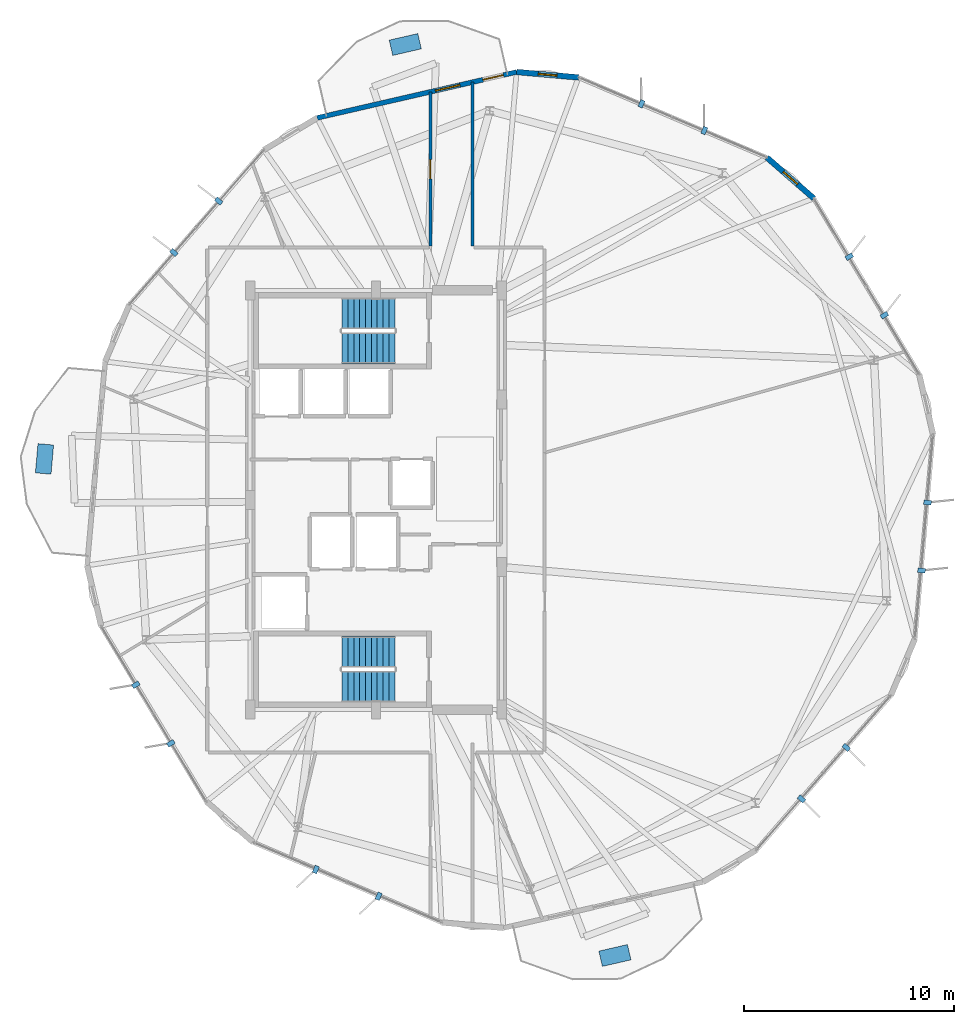
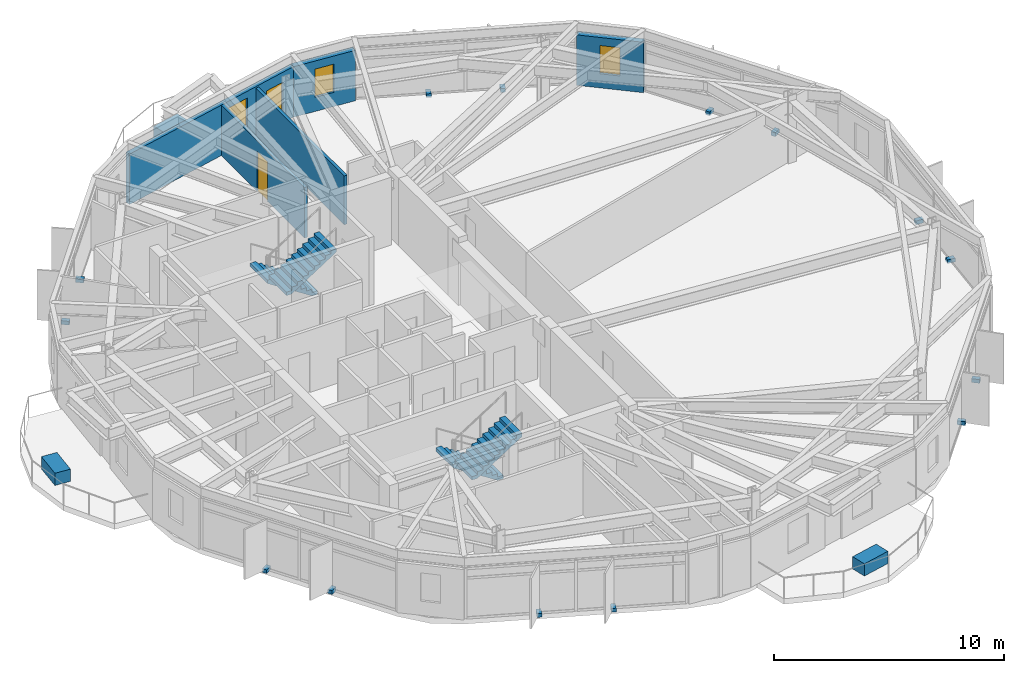
# One storey, part 24 of 27: 17 discrete accessories, 5 walls, 4 stair flights, 3 windows, 2 doors, 5 openings, 2 elements without a shape of their own.
"""IFC4 building model written with IfcOpenShell, lengths in metres."""

from ifc_helpers import new_model, si_unit, direction, frame, frame_2d, origin, origin_2d, place, context, subcontext, project, spatial, polyline, rectangle, outline, extrude, material, layer, layer_set, type_object, element, fill, aggregate, save


model = new_model("IFC4")

# Units and contexts
model_context = context("Model", 3, precision=1e-05, world=origin(), true_north=direction((0.0, 1.0)))
body_context = subcontext(model_context, "Body", "Model", "MODEL_VIEW")
ifc_project = project(units=[si_unit("LENGTHUNIT", "METRE"), si_unit("AREAUNIT", "SQUARE_METRE"), si_unit("VOLUMEUNIT", "CUBIC_METRE"), si_unit("PLANEANGLEUNIT", "RADIAN"), si_unit("MASSUNIT", "GRAM", prefix="KILO")], contexts=[model_context])

# Site, building, storey
site_placement = place(None, origin())
site = spatial("IfcSite", under=ifc_project, at=site_placement, CompositionType="ELEMENT")
building_placement = place(site_placement, origin())
building = spatial("IfcBuilding", under=site, at=building_placement, Name="Soratama Intermodal Tower", CompositionType="ELEMENT")
storey_placement = place(building_placement, frame((0.0, 0.0, 212.199951171875)))
storey = spatial("IfcBuildingStorey", under=building, at=storey_placement, Name="L53", CompositionType="ELEMENT", Elevation=212.199951171875)

# Wall, openings, door, window
ifc_material_1 = material(Name="Concrete f'c 42 MPa", Category="concrete")
ifc_layer_1 = layer(ifc_material_1, 0.22998046875)
ifc_layer_set_1 = layer_set([ifc_layer_1], Name="Concrete f'c 42 MPa")
wall_type_1 = type_object("IfcWallType", Name="EW-BAL-230", PredefinedType="SOLIDWALL", material=ifc_layer_set_1)
wall_1_placement = place(storey_placement, frame((45.31201171875, 45.423095703125, 0.0), z_axis=(0.0, 0.0, 1.0), x_axis=(-0.974525807261, -0.224275390941, 0.0)))
wall_1 = element("IfcWall", 1, at=wall_1_placement, inside=storey, type_object=wall_type_1, Name="L53 Terrace Wall F02", PredefinedType="SOLIDWALL", context=body_context, shape_type="SweptSolid", body=[
    extrude(rectangle(XDim=9.768798828125, YDim=0.22998046875, at=frame_2d((4.88427734375, 0.0))), origin(), (0.0, 0.0, 1.0), 2.678955078125),
])
opening_1_placement = place(wall_1_placement, frame((0.64990234375, 0.0, 0.0)))
opening_1 = element("IfcOpeningElement", 2, at=opening_1_placement, cuts=wall_1, Name="Opening ED-2", PredefinedType="OPENING", context=body_context, shape_type="SweptSolid", body=[
    extrude(rectangle(XDim=1.0, YDim=2.14990234375, at=frame_2d((0.5, 1.074951171875))), frame((0.0, 0.125, 0.0), z_axis=(0.0, -1.0, 0.0), x_axis=(1.0, 0.0, 0.0)), (0.0, 0.0, 1.0), 0.25),
])
opening_2_placement = place(wall_1_placement, frame((2.776611328125, 0.0, 0.719970703125)))
opening_2 = element("IfcOpeningElement", 3, at=opening_2_placement, cuts=wall_1, Name="Opening WN-2", PredefinedType="OPENING", context=body_context, shape_type="SweptSolid", body=[
    extrude(rectangle(XDim=1.199951171875, YDim=1.60009765625, at=frame_2d((0.60009765625, 0.800048828125))), frame((0.0, 0.125, 0.0), z_axis=(0.0, -1.0, 0.0), x_axis=(1.0, 0.0, 0.0)), (0.0, 0.0, 1.0), 0.25),
])
ifc_material_2 = material(Name="Double-glazed aluminium door", Category="aluminium")
door_type_1 = type_object("IfcDoorType", Name="DR-BAL-1000", OperationType="NOTDEFINED", PredefinedType="DOOR", material=ifc_material_2)
door_1_placement = place(opening_1_placement, origin())
door_1 = element("IfcDoor", 4, at=door_1_placement, inside=storey, type_object=door_type_1, Name="L53 Balcony Door F02", OperationType="SINGLE_SWING_RIGHT", OverallHeight=2.14990234375, OverallWidth=1.0, PredefinedType="DOOR", context=body_context, shape_type="SweptSolid", body=[
    extrude(rectangle(XDim=1.0, YDim=2.14990234375, at=frame_2d((0.5, 1.074951171875))), frame((0.0, 0.02490234375, 0.0), z_axis=(0.0, -1.0, 0.0), x_axis=(1.0, 0.0, 0.0)), (0.0, 0.0, 1.0), 0.050048828125),
])
fill(opening_1, door_1)
ifc_material_3 = material(Name="Double-glazed aluminium window", Category="aluminium")
window_type_1 = type_object("IfcWindowType", Name="WN-FAC-1200", PartitioningType="SINGLE_PANEL", PredefinedType="WINDOW", material=ifc_material_3)
window_1_placement = place(opening_2_placement, origin())
window_1 = element("IfcWindow", 5, at=window_1_placement, inside=storey, type_object=window_type_1, Name="L53 Window B F02", OverallHeight=1.60009765625, OverallWidth=1.199951171875, PartitioningType="SINGLE_PANEL", PredefinedType="WINDOW", context=body_context, shape_type="SweptSolid", body=[
    extrude(rectangle(XDim=1.199951171875, YDim=1.60009765625, at=frame_2d((0.60009765625, 0.800048828125))), frame((0.0, 0.030029296875, 0.0), z_axis=(0.0, -1.0, 0.0), x_axis=(1.0, 0.0, 0.0)), (0.0, 0.0, 1.0), 0.06005859375),
])
fill(opening_2, window_1)

# Wall, opening, window
ifc_material_4 = material(Name="Concrete f'c 42 MPa", Category="concrete")
ifc_layer_2 = layer(ifc_material_4, 0.27001953125)
ifc_layer_set_2 = layer_set([ifc_layer_2], Name="Concrete f'c 42 MPa")
wall_type_2 = type_object("IfcWallType", Name="EW-CRN-270", PredefinedType="SOLIDWALL", material=ifc_layer_set_2)
wall_2_placement = place(storey_placement, frame((48.26708984375, 45.162353515625, 0.0), z_axis=(0.0, 0.0, 1.0), x_axis=(-0.996129850025, 0.087893810296, 0.0)))
wall_2 = element("IfcWall", 6, at=wall_2_placement, inside=storey, type_object=wall_type_2, Name="L53 Corner Closure Wall 01", PredefinedType="SOLIDWALL", context=body_context, shape_type="SweptSolid", body=[
    extrude(rectangle(XDim=2.966552734375, YDim=0.27001953125, at=frame_2d((1.4833984375, 0.0))), origin(), (0.0, 0.0, 1.0), 2.678955078125),
])
opening_3_placement = place(wall_2_placement, frame((1.033203125, 0.0, 0.75)))
opening_3 = element("IfcOpeningElement", 7, at=opening_3_placement, cuts=wall_2, Name="Opening WN-6", PredefinedType="OPENING", context=body_context, shape_type="SweptSolid", body=[
    extrude(rectangle(XDim=0.89990234375, YDim=1.5, at=frame_2d((0.449951171875, 0.75))), frame((0.0, 0.14501953125, 0.0), z_axis=(0.0, -1.0, 0.0), x_axis=(1.0, 0.0, 0.0)), (0.0, 0.0, 1.0), 0.2900390625),
])
ifc_material_5 = material(Name="Double-glazed aluminium window", Category="aluminium")
window_type_2 = type_object("IfcWindowType", Name="WN-FAC-900", PartitioningType="SINGLE_PANEL", PredefinedType="WINDOW", material=ifc_material_5)
window_2_placement = place(opening_3_placement, origin())
window_2 = element("IfcWindow", 8, at=window_2_placement, inside=storey, type_object=window_type_2, Name="L53 Corner Window 01", OverallHeight=1.5, OverallWidth=0.89990234375, PartitioningType="SINGLE_PANEL", PredefinedType="WINDOW", context=body_context, shape_type="SweptSolid", body=[
    extrude(rectangle(XDim=0.89990234375, YDim=1.5, at=frame_2d((0.449951171875, 0.75))), frame((0.0, 0.030029296875, 0.0), z_axis=(0.0, -1.0, 0.0), x_axis=(1.0, 0.0, 0.0)), (0.0, 0.0, 1.0), 0.06005859375),
])
fill(opening_3, window_2)

wall_3_placement = place(storey_placement, frame((59.494384765625, 39.391357421875, 0.0), z_axis=(0.0, 0.0, 1.0), x_axis=(-0.754261698008, 0.656573903623, 0.0)))
wall_3 = element("IfcWall", 9, at=wall_3_placement, inside=storey, type_object=wall_type_2, Name="L53 Corner Closure Wall 10", PredefinedType="SOLIDWALL", context=body_context, shape_type="SweptSolid", body=[
    extrude(rectangle(XDim=2.966552734375, YDim=0.27001953125, at=frame_2d((1.4833984375, 0.0))), origin(), (0.0, 0.0, 1.0), 2.678955078125),
])
opening_4_placement = place(wall_3_placement, frame((1.033203125, 0.0, 0.75)))
opening_4 = element("IfcOpeningElement", 10, at=opening_4_placement, cuts=wall_3, Name="Opening WN-6", PredefinedType="OPENING", context=body_context, shape_type="SweptSolid", body=[
    extrude(rectangle(XDim=0.89990234375, YDim=1.5, at=frame_2d((0.449951171875, 0.75))), frame((0.0, 0.14501953125, 0.0), z_axis=(0.0, -1.0, 0.0), x_axis=(1.0, 0.0, 0.0)), (0.0, 0.0, 1.0), 0.2900390625),
])
window_3_placement = place(opening_4_placement, origin())
window_3 = element("IfcWindow", 11, at=window_3_placement, inside=storey, type_object=window_type_2, Name="L53 Corner Window 10", OverallHeight=1.5, OverallWidth=0.89990234375, PartitioningType="SINGLE_PANEL", PredefinedType="WINDOW", context=body_context, shape_type="SweptSolid", body=[
    extrude(rectangle(XDim=0.89990234375, YDim=1.5, at=frame_2d((0.449951171875, 0.75))), frame((0.0, 0.030029296875, 0.0), z_axis=(0.0, -1.0, 0.0), x_axis=(1.0, 0.0, 0.0)), (0.0, 0.0, 1.0), 0.06005859375),
])
fill(opening_4, window_3)

# Wall
ifc_material_6 = material(Name="Fire-rated gypsum stud partition", Category="concrete")
ifc_layer_3 = layer(ifc_material_6, 0.14990234375)
ifc_layer_set_3 = layer_set([ifc_layer_3], Name="Fire-rated gypsum stud partition")
wall_type_3 = type_object("IfcWallType", Name="IW-PART-R150", PredefinedType="PARTITIONING", material=ifc_layer_set_3)
wall_4_placement = place(storey_placement, frame((43.199951171875, 44.93701171875, 0.0), z_axis=(0.0, 0.0, 1.0), x_axis=(0.0, -1.0, 0.0)))
element("IfcWall", 12, at=wall_4_placement, inside=storey, type_object=wall_type_3, Name="L53 Partition W-L53-TP006", PredefinedType="PARTITIONING", context=body_context, shape_type="SweptSolid", body=[
    extrude(rectangle(XDim=7.81689453125, YDim=0.14990234375, at=frame_2d((3.908447265625, 0.0))), origin(), (0.0, 0.0, 1.0), 2.594970703125),
])

# Wall, opening, door
wall_5_placement = place(storey_placement, frame((41.199951171875, 37.1201171875, 0.0), z_axis=(0.0, 0.0, 1.0), x_axis=(0.0, 1.0, 0.0)))
wall_5 = element("IfcWall", 13, at=wall_5_placement, inside=storey, type_object=wall_type_3, Name="L53 Partition W-L53-TP008", PredefinedType="PARTITIONING", context=body_context, shape_type="SweptSolid", body=[
    extrude(rectangle(XDim=7.35693359375, YDim=0.14990234375, at=frame_2d((3.678466796875, 0.0))), origin(), (0.0, 0.0, 1.0), 2.674072265625),
])
opening_5_placement = place(wall_5_placement, frame((3.202880859375, 0.0, 0.0)))
opening_5 = element("IfcOpeningElement", 14, at=opening_5_placement, cuts=wall_5, Name="Opening ID-6", PredefinedType="OPENING", context=body_context, shape_type="SweptSolid", body=[
    extrude(rectangle(XDim=0.919921875, YDim=2.1201171875, at=frame_2d((0.4599609375, 1.06005859375))), frame((0.0, 0.0849609375, 0.0), z_axis=(0.0, -1.0, 0.0), x_axis=(1.0, 0.0, 0.0)), (0.0, 0.0, 1.0), 0.169921875),
])
ifc_material_7 = material(Name="Solid hardwood acoustic door", Category="wood")
door_type_2 = type_object("IfcDoorType", Name="DR-ROOM-920", OperationType="NOTDEFINED", PredefinedType="DOOR", material=ifc_material_7)
door_2_placement = place(opening_5_placement, origin())
door_2 = element("IfcDoor", 15, at=door_2_placement, inside=storey, type_object=door_type_2, Name="L53 Door D-L53-TP005", OperationType="SINGLE_SWING_RIGHT", OverallHeight=2.1201171875, OverallWidth=0.919921875, PredefinedType="DOOR", context=body_context, shape_type="SweptSolid", body=[
    extrude(rectangle(XDim=0.919921875, YDim=2.1201171875, at=frame_2d((0.4599609375, 1.06005859375))), frame((0.0, 0.02490234375, 0.0), z_axis=(0.0, -1.0, 0.0), x_axis=(1.0, 0.0, 0.0)), (0.0, 0.0, 1.0), 0.050048828125),
])
fill(opening_5, door_2)

# Stair, stair flights
ifc_material_8 = material(Name="Concrete f'c 42 MPa", Category="concrete")
stair_type = type_object("IfcStairType", Name="ST-CORE-DOGLEG", PredefinedType="HALF_TURN_STAIR", material=ifc_material_8)
stair_1_placement = place(storey_placement, origin())
stair_1 = element("IfcStair", 16, at=stair_1_placement, inside=storey, type_object=stair_type, Name="L53 ST-1", PredefinedType="HALF_TURN_STAIR")
ifc_material_9 = material(Name="Precast concrete f'c 40 MPa", Category="concrete")
ifc_layer_4 = layer(ifc_material_9, 0.199951171875)
ifc_layer_set_4 = layer_set([ifc_layer_4], Name="Precast concrete f'c 40 MPa")
stair_flight_type = type_object("IfcStairFlightType", Name="SF-FLIGHT-RC", PredefinedType="STRAIGHT", material=ifc_layer_set_4)
stair_flight_1_placement = place(storey_placement, frame((39.5, 17.75, 0.0), z_axis=(0.0, 0.0, 1.0), x_axis=(-1.0, 0.0, 0.0)))
stair_flight_1 = element("IfcStairFlight", 17, at=stair_flight_1_placement, type_object=stair_flight_type, Name="ST-1 flight 1", NumberOfRisers=10, NumberOfTreads=9, PredefinedType="STRAIGHT", RiserHeight=0.18, TreadLength=0.28, context=body_context, shape_type="SweptSolid", body=[
    extrude(outline(polyline([(0.0, 0.0), (0.0, 0.179931640625), (0.280029296875, 0.179931640625), (0.280029296875, 0.360107421875), (0.56005859375, 0.360107421875), (0.56005859375, 0.5400390625), (0.840087890625, 0.5400390625), (0.840087890625, 0.719970703125), (1.1201171875, 0.719970703125), (1.1201171875, 0.89990234375), (1.39990234375, 0.89990234375), (1.39990234375, 1.080078125), (1.679931640625, 1.080078125), (1.679931640625, 1.260009765625), (1.9599609375, 1.260009765625), (1.9599609375, 1.43994140625), (2.239990234375, 1.43994140625), (2.239990234375, 1.6201171875), (2.52001953125, 1.6201171875), (2.52001953125, 1.800048828125), (2.52001953125, 1.44189453125), (0.277099609375, 0.0), (0.0, 0.0)])), frame((0.0, 0.75, 0.0), z_axis=(0.0, -1.0, 0.0), x_axis=(1.0, 0.0, 0.0)), (0.0, 0.0, 1.0), 1.5),
])
stair_flight_2_placement = place(storey_placement, frame((36.97998046875, 16.10009765625, 1.800048828125), z_axis=(0.0, 0.0, 1.0), x_axis=(1.0, 0.0, 0.0)))
stair_flight_2 = element("IfcStairFlight", 18, at=stair_flight_2_placement, type_object=stair_flight_type, Name="ST-1 flight 2", NumberOfRisers=10, NumberOfTreads=9, PredefinedType="STRAIGHT", RiserHeight=0.18, TreadLength=0.28, context=body_context, shape_type="SweptSolid", body=[
    extrude(outline(polyline([(0.0, 0.0), (0.0, 0.179931640625), (0.280029296875, 0.179931640625), (0.280029296875, 0.360107421875), (0.56005859375, 0.360107421875), (0.56005859375, 0.5400390625), (0.840087890625, 0.5400390625), (0.840087890625, 0.719970703125), (1.1201171875, 0.719970703125), (1.1201171875, 0.89990234375), (1.39990234375, 0.89990234375), (1.39990234375, 1.080078125), (1.679931640625, 1.080078125), (1.679931640625, 1.260009765625), (1.9599609375, 1.260009765625), (1.9599609375, 1.43994140625), (2.239990234375, 1.43994140625), (2.239990234375, 1.6201171875), (2.52001953125, 1.6201171875), (2.52001953125, 1.800048828125), (2.52001953125, 1.44189453125), (0.277099609375, 0.0), (0.0, 0.0)])), frame((0.0, 0.75, 0.0), z_axis=(0.0, -1.0, 0.0), x_axis=(1.0, 0.0, 0.0)), (0.0, 0.0, 1.0), 1.5),
])
aggregate(stair_1, [stair_flight_1, stair_flight_2])

stair_2_placement = place(storey_placement, origin())
stair_2 = element("IfcStair", 19, at=stair_2_placement, inside=storey, type_object=stair_type, Name="L53 ST-2", PredefinedType="HALF_TURN_STAIR")
stair_flight_3_placement = place(storey_placement, frame((39.5, 33.89990234375, 0.0), z_axis=(0.0, 0.0, 1.0), x_axis=(-1.0, 0.0, 0.0)))
stair_flight_3 = element("IfcStairFlight", 20, at=stair_flight_3_placement, type_object=stair_flight_type, Name="ST-2 flight 1", NumberOfRisers=10, NumberOfTreads=9, PredefinedType="STRAIGHT", RiserHeight=0.18, TreadLength=0.28, context=body_context, shape_type="SweptSolid", body=[
    extrude(outline(polyline([(0.0, 0.0), (0.0, 0.179931640625), (0.280029296875, 0.179931640625), (0.280029296875, 0.360107421875), (0.56005859375, 0.360107421875), (0.56005859375, 0.5400390625), (0.840087890625, 0.5400390625), (0.840087890625, 0.719970703125), (1.1201171875, 0.719970703125), (1.1201171875, 0.89990234375), (1.39990234375, 0.89990234375), (1.39990234375, 1.080078125), (1.679931640625, 1.080078125), (1.679931640625, 1.260009765625), (1.9599609375, 1.260009765625), (1.9599609375, 1.43994140625), (2.239990234375, 1.43994140625), (2.239990234375, 1.6201171875), (2.52001953125, 1.6201171875), (2.52001953125, 1.800048828125), (2.52001953125, 1.44189453125), (0.277099609375, 0.0), (0.0, 0.0)])), frame((0.0, 0.75, 0.0), z_axis=(0.0, -1.0, 0.0), x_axis=(1.0, 0.0, 0.0)), (0.0, 0.0, 1.0), 1.5),
])
stair_flight_4_placement = place(storey_placement, frame((36.97998046875, 32.25, 1.800048828125), z_axis=(0.0, 0.0, 1.0), x_axis=(1.0, 0.0, 0.0)))
stair_flight_4 = element("IfcStairFlight", 21, at=stair_flight_4_placement, type_object=stair_flight_type, Name="ST-2 flight 2", NumberOfRisers=10, NumberOfTreads=9, PredefinedType="STRAIGHT", RiserHeight=0.18, TreadLength=0.28, context=body_context, shape_type="SweptSolid", body=[
    extrude(outline(polyline([(0.0, 0.0), (0.0, 0.179931640625), (0.280029296875, 0.179931640625), (0.280029296875, 0.360107421875), (0.56005859375, 0.360107421875), (0.56005859375, 0.5400390625), (0.840087890625, 0.5400390625), (0.840087890625, 0.719970703125), (1.1201171875, 0.719970703125), (1.1201171875, 0.89990234375), (1.39990234375, 0.89990234375), (1.39990234375, 1.080078125), (1.679931640625, 1.080078125), (1.679931640625, 1.260009765625), (1.9599609375, 1.260009765625), (1.9599609375, 1.43994140625), (2.239990234375, 1.43994140625), (2.239990234375, 1.6201171875), (2.52001953125, 1.6201171875), (2.52001953125, 1.800048828125), (2.52001953125, 1.44189453125), (0.277099609375, 0.0), (0.0, 0.0)])), frame((0.0, 0.75, 0.0), z_axis=(0.0, -1.0, 0.0), x_axis=(1.0, 0.0, 0.0)), (0.0, 0.0, 1.0), 1.5),
])
aggregate(stair_2, [stair_flight_3, stair_flight_4])

# Discrete accessories
ifc_material_10 = material(Name="Structural steel ASTM A992 Grade 50", Category="steel")
discrete_accessory_type_1 = type_object("IfcDiscreteAccessoryType", Name="AC-FIN-BRACKET", PredefinedType="BRACKET", material=ifc_material_10)
for number, where, z_axis, x_axis, name in (
    (22, (54.26806640625, 42.6318359375, -0.080078125), (0.0, 0.0, 1.0), (0.391373666837, 0.920231847366, 0.0), "L53 Fin Bracket F01-1"),
    (23, (51.271484375, 43.906494140625, -0.080078125), (0.0, 0.0, 1.0), (0.391373666837, 0.920231847366, 0.0), "L53 Fin Bracket F01-2"),
    (24, (31.09521484375, 39.26318359375, -0.080078125), (0.0, 0.0, 1.0), (-0.754251380736, 0.656585755753, 0.0), "L53 Fin Bracket F03-1"),
    (25, (28.95703125, 36.806884765625, -0.080078125), (0.0, 0.0, 1.0), (-0.754251380736, 0.656585755753, 0.0), "L53 Fin Bracket F03-2"),
    (26, (27.13818359375, 16.18310546875, -0.080078125), (0.0, 0.0, 1.0), (-0.857526656194, -0.514439533782, 0.0), "L53 Fin Bracket F05-1"),
    (27, (28.813232421875, 13.390869140625, -0.080078125), (0.0, 0.0, 1.0), (-0.857526656194, -0.514439533782, 0.0), "L53 Fin Bracket F05-2"),
    (28, (35.73193359375, 7.3681640625, -0.080078125), (0.0, 0.0, 1.0), (-0.391373666837, -0.920231847366, 0.0), "L53 Fin Bracket F06-1"),
    (29, (38.728515625, 6.093505859375, -0.080078125), (0.0, 0.0, 1.0), (-0.391373666837, -0.920231847366, 0.0), "L53 Fin Bracket F06-2"),
    (30, (58.90478515625, 10.73681640625, -0.080078125), (0.0, 0.0, 1.0), (0.754251380736, -0.656585755753, 0.0), "L53 Fin Bracket F08-1"),
    (31, (61.04296875, 13.193115234375, -0.080078125), (0.0, 0.0, 1.0), (0.754251380736, -0.656585755753, 0.0), "L53 Fin Bracket F08-2"),
    (32, (64.633056640625, 21.634033203125, -0.080078125), (0.0, 0.0, 1.0), (0.996133609143, -0.087851196551, 0.0), "L53 Fin Bracket F09-1"),
    (33, (64.919189453125, 24.877685546875, -0.080078125), (0.0, 0.0, 1.0), (0.996133609143, -0.087851196551, 0.0), "L53 Fin Bracket F09-2"),
    (34, (62.86181640625, 33.81689453125, -0.080078125), (0.0, 0.0, 1.0), (0.857526656194, 0.514439533782, 0.0), "L53 Fin Bracket F10-1"),
    (35, (61.186767578125, 36.609130859375, -0.080078125), (0.0, 0.0, 1.0), (0.857526656194, 0.514439533782, 0.0), "L53 Fin Bracket F10-2"),
):
    element("IfcDiscreteAccessory", number, at=place(storey_placement, frame(where, z_axis=z_axis, x_axis=x_axis)), inside=storey, type_object=discrete_accessory_type_1, Name=name, PredefinedType="BRACKET", context=body_context, shape_type="SweptSolid", body=[
        extrude(rectangle(XDim=0.360107421875, YDim=0.219970703125, at=origin_2d()), origin(), (0.0, 0.0, 1.0), 0.199951171875),
    ])
ifc_material_11 = material(Name="Precast concrete f'c 40 MPa", Category="concrete")
discrete_accessory_type_2 = type_object("IfcDiscreteAccessoryType", Name="AC-PLANTER-TREE", PredefinedType="USERDEFINED", material=ifc_material_11)
for number, where, z_axis, x_axis, name in (
    (36, (39.998046875, 46.734619140625, 0.0), (0.0, 0.0, 1.0), (-0.224270760949, 0.974526872787, 0.0), "L53 Tree Planter 1"),
    (37, (22.783447265625, 26.959228515625, 0.0), (0.0, 0.0, 1.0), (-0.996133609143, 0.087851196551, 0.0), "L53 Tree Planter 2"),
    (38, (50.001953125, 3.265380859375, 0.0), (0.0, 0.0, 1.0), (0.224270760949, -0.974526872787, 0.0), "L53 Tree Planter 3"),
):
    element("IfcDiscreteAccessory", number, at=place(storey_placement, frame(where, z_axis=z_axis, x_axis=x_axis)), inside=storey, type_object=discrete_accessory_type_2, Name=name, ObjectType="PLANTER", PredefinedType="USERDEFINED", context=body_context, shape_type="SweptSolid", body=[
        extrude(rectangle(XDim=0.75, YDim=1.39990234375, at=origin_2d()), origin(), (0.0, 0.0, 1.0), 0.64990234375),
    ])

save(model, "model.ifc")
